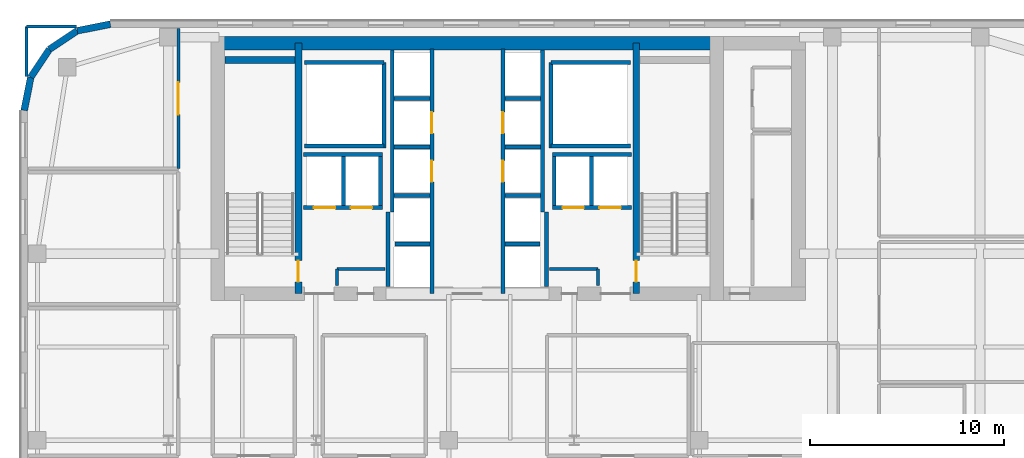
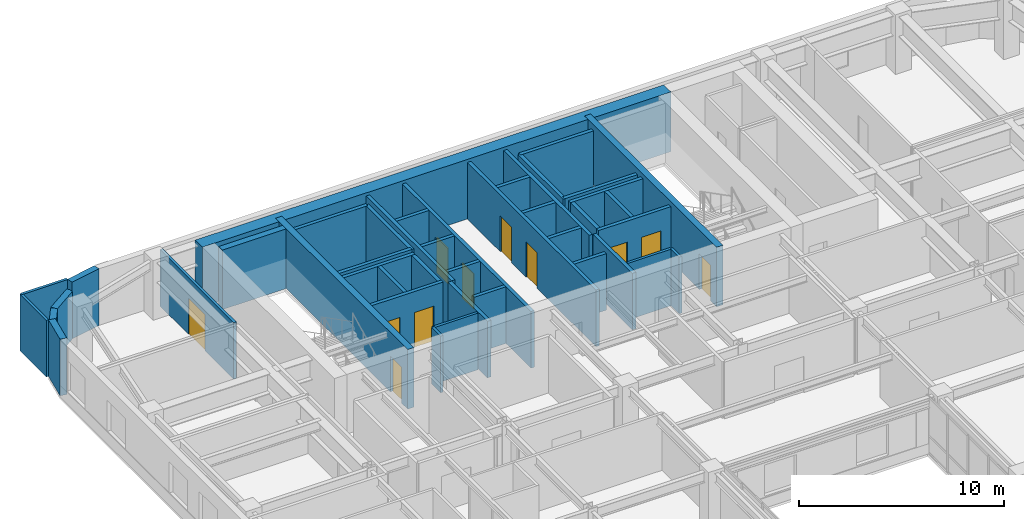
# One storey, part 24 of 31: 43 walls, 11 doors, 11 openings.
"""IFC4 building model written with IfcOpenShell, lengths in metres."""

from ifc_helpers import new_model, si_unit, direction, frame, frame_2d, origin, place, context, subcontext, project, spatial, rectangle, extrude, source, transform, mapped, material, layer, layer_set, type_object, type_shapes, element, fill, save


model = new_model("IFC4")

# Units and contexts
model_context = context("Model", 3, precision=1e-05, world=origin(), true_north=direction((0.0, 1.0)))
body_context = subcontext(model_context, "Body", "Model", "MODEL_VIEW")
ifc_project = project(units=[si_unit("LENGTHUNIT", "METRE"), si_unit("AREAUNIT", "SQUARE_METRE"), si_unit("VOLUMEUNIT", "CUBIC_METRE"), si_unit("PLANEANGLEUNIT", "RADIAN"), si_unit("MASSUNIT", "GRAM", prefix="KILO")], contexts=[model_context])

# Site, building, storey
site_placement = place(None, origin())
site = spatial("IfcSite", under=ifc_project, at=site_placement, CompositionType="ELEMENT")
building_placement = place(site_placement, origin())
building = spatial("IfcBuilding", under=site, at=building_placement, Name="Tolvann Quenvar Hotel", CompositionType="ELEMENT")
storey_placement = place(building_placement, frame((0.0, 0.0, 125.75)))
storey = spatial("IfcBuildingStorey", under=building, at=storey_placement, Name="L32", CompositionType="ELEMENT", Elevation=125.75)

# Wall
ifc_material_1 = material(Name="Concrete S65 (65 MPa)", Category="concrete")
ifc_layer_1 = layer(ifc_material_1, 0.699951171875)
ifc_layer_set_1 = layer_set([ifc_layer_1], Name="Concrete S65 (65 MPa)")
wall_type_1 = type_object("IfcWallType", Name="WALL_CORE_700", PredefinedType="SHEAR", material=ifc_layer_set_1)
wall_1_placement = place(storey_placement, frame((9.800048828125, 44.85009765625, 0.0), z_axis=(0.0, 0.0, 1.0), x_axis=(1.0, 0.0, 0.0)))
element("IfcWall", 1, at=wall_1_placement, inside=storey, type_object=wall_type_1, Name="Rear Core N Shear Wall (L32)", PredefinedType="SHEAR", context=body_context, shape_type="SweptSolid", body=[
    extrude(rectangle(XDim=26.39990234375, YDim=0.699951171875, at=frame_2d((13.199951171875, 0.0))), origin(), (0.0, 0.0, 1.0), 3.550048828125),
])

# Wall, opening, door
ifc_layer_2 = layer(ifc_material_1, 0.35009765625)
ifc_layer_set_2 = layer_set([ifc_layer_2], Name="Concrete S65 (65 MPa)")
wall_type_2 = type_object("IfcWallType", Name="WALL_CORE_INT_350", PredefinedType="SHEAR", material=ifc_layer_set_2)
wall_2_placement = place(storey_placement, frame((14.300048828125, 31.949951171875, 0.0), z_axis=(0.0, 0.0, 1.0), x_axis=(0.0, 1.0, 0.0)))
wall_2 = element("IfcWall", 2, at=wall_2_placement, inside=storey, type_object=wall_type_2, Name="Core Internal Web Shear Wall WEB-W (L32)", PredefinedType="SHEAR", context=body_context, shape_type="SweptSolid", body=[
    extrude(rectangle(XDim=12.900146484375, YDim=0.35009765625, at=frame_2d((6.4501953125, 0.0))), origin(), (0.0, 0.0, 1.0), 3.550048828125),
])
opening_1_placement = place(wall_2_placement, frame((0.60009765625, 0.0, 0.0)))
opening_1 = element("IfcOpeningElement", 3, at=opening_1_placement, cuts=wall_2, Name="Opening FD-120", PredefinedType="OPENING", context=body_context, shape_type="SweptSolid", body=[
    extrude(rectangle(XDim=1.10009765625, YDim=2.1201171875, at=frame_2d((0.550048828125, 1.06005859375))), frame((0.0, 0.18505859375, 0.0), z_axis=(0.0, -1.0, 0.0), x_axis=(1.0, 0.0, 0.0)), (0.0, 0.0, 1.0), 0.3701171875),
])
ifc_material_2 = material(Name="Pressed galvanised steel fire-rated door set", Category="steel")
door_type_1 = type_object("IfcDoorType", Name="DOOR_FIRE_STAIR_1100", OperationType="NOTDEFINED", PredefinedType="DOOR", material=ifc_material_2)
shared_shape_1 = source(origin(), body_context, "Body", "SweptSolid", [
    extrude(rectangle(XDim=1.10009765625, YDim=2.1201171875, at=frame_2d((0.550048828125, 1.06005859375))), frame((0.0, 0.02490234375, 0.0), z_axis=(0.0, -1.0, 0.0), x_axis=(1.0, 0.0, 0.0)), (0.0, 0.0, 1.0), 0.050048828125),
])
type_shapes(door_type_1, [shared_shape_1])
door_1_placement = place(opening_1_placement, origin())
door_1 = element("IfcDoor", 4, at=door_1_placement, inside=storey, type_object=door_type_1, Name="Exit Stair ST-C1 Fire Door (L32)", OperationType="SINGLE_SWING_LEFT", OverallHeight=2.1201171875, OverallWidth=1.10009765625, PredefinedType="DOOR", context=body_context, shape_type="MappedRepresentation", body=[
    mapped(shared_shape_1, transform((0.0, 0.0, 0.0), x_axis=(1.0, 0.0, 0.0), y_axis=(0.0, 1.0, 0.0), z_axis=(0.0, 0.0, 1.0), scale=1.0)),
])
fill(opening_1, door_1)

wall_3_placement = place(storey_placement, frame((31.699951171875, 31.949951171875, 0.0), z_axis=(0.0, 0.0, 1.0), x_axis=(0.0, 1.0, 0.0)))
wall_3 = element("IfcWall", 5, at=wall_3_placement, inside=storey, type_object=wall_type_2, Name="Core Internal Web Shear Wall WEB-E (L32)", PredefinedType="SHEAR", context=body_context, shape_type="SweptSolid", body=[
    extrude(rectangle(XDim=12.900146484375, YDim=0.35009765625, at=frame_2d((6.4501953125, 0.0))), origin(), (0.0, 0.0, 1.0), 3.550048828125),
])
opening_2_placement = place(wall_3_placement, frame((1.7001953125, 0.0, 0.0), z_axis=(0.0, 0.0, 1.0), x_axis=(-1.0, 0.0, 0.0)))
opening_2 = element("IfcOpeningElement", 6, at=opening_2_placement, cuts=wall_3, Name="Opening FD-120", PredefinedType="OPENING", context=body_context, shape_type="SweptSolid", body=[
    extrude(rectangle(XDim=1.10009765625, YDim=2.1201171875, at=frame_2d((0.550048828125, 1.06005859375))), frame((0.0, 0.18505859375, 0.0), z_axis=(0.0, -1.0, 0.0), x_axis=(1.0, 0.0, 0.0)), (0.0, 0.0, 1.0), 0.3701171875),
])
door_2_placement = place(opening_2_placement, origin())
door_2 = element("IfcDoor", 7, at=door_2_placement, inside=storey, type_object=door_type_1, Name="Exit Stair ST-C2 Fire Door (L32)", OperationType="SINGLE_SWING_RIGHT", OverallHeight=2.1201171875, OverallWidth=1.10009765625, PredefinedType="DOOR", context=body_context, shape_type="MappedRepresentation", body=[
    mapped(shared_shape_1, transform((0.0, 0.0, 0.0), x_axis=(1.0, 0.0, 0.0), y_axis=(0.0, 1.0, 0.0), z_axis=(0.0, 0.0, 1.0), scale=1.0)),
])
fill(opening_2, door_2)

# Walls
wall_4_placement = place(storey_placement, frame((10.52001953125, 43.97509765625, 0.0), z_axis=(0.0, 0.0, 1.0), x_axis=(1.0, 0.0, 0.0)))
element("IfcWall", 8, at=wall_4_placement, inside=storey, type_object=wall_type_2, Name="Core Stair North Closing Shear Wall STC1-N (L32)", PredefinedType="SHEAR", context=body_context, shape_type="SweptSolid", body=[
    extrude(rectangle(XDim=3.60009765625, YDim=0.35009765625, at=frame_2d((1.800048828125, 0.0))), origin(), (0.0, 0.0, 1.0), 3.550048828125),
])
ifc_material_3 = material(Name="Kiln-fired red and buff architectural clay brickwork and terracotta masonry", Category="masonry")
ifc_layer_3 = layer(ifc_material_3, 0.35009765625)
ifc_layer_set_3 = layer_set([ifc_layer_3], Name="Kiln-fired red and buff architectural clay brickwork and terracotta masonry")
wall_type_3 = type_object("IfcWallType", Name="WALL_EXT_BRICK_350", PredefinedType="SOLIDWALL", material=ifc_layer_set_3)
wall_5_placement = place(storey_placement, frame((4.6171875, 45.824951171875, 0.0), z_axis=(0.0, 0.0, 1.0), x_axis=(-0.980800971659, -0.195011420161, 0.0)))
element("IfcWall", 9, at=wall_5_placement, inside=storey, type_object=wall_type_3, Name="Exterior Chicago Brick Wall L32-E19", PredefinedType="SOLIDWALL", context=body_context, shape_type="SweptSolid", body=[
    extrude(rectangle(XDim=1.74267578125, YDim=0.35009765625, at=frame_2d((0.871337890625, 0.0))), origin(), (0.0, 0.0, 1.0), 3.3701171875),
])
for number, where, z_axis, x_axis, name in (
    (10, (2.907958984375, 45.485107421875, 0.0), (0.0, 0.0, 1.0), (-0.831483840845, -0.55554893791, 0.0), "Exterior Chicago Brick Wall L32-E20"),
    (11, (1.473388671875, 44.526611328125, 0.0), (0.0, 0.0, 1.0), (-0.55554893791, -0.831483840845, 0.0), "Exterior Chicago Brick Wall L32-E21"),
):
    element("IfcWall", number, at=place(storey_placement, frame(where, z_axis=z_axis, x_axis=x_axis)), inside=storey, type_object=wall_type_3, Name=name, PredefinedType="SOLIDWALL", context=body_context, shape_type="SweptSolid", body=[
        extrude(rectangle(XDim=1.725341796875, YDim=0.35009765625, at=frame_2d((0.86279296875, 0.0))), origin(), (0.0, 0.0, 1.0), 2.83203125),
    ])
wall_6_placement = place(storey_placement, frame((0.514892578125, 43.092041015625, 0.0), z_axis=(0.0, 0.0, 1.0), x_axis=(-0.195011420161, -0.980800971659, 0.0)))
element("IfcWall", 12, at=wall_6_placement, inside=storey, type_object=wall_type_3, Name="Exterior Chicago Brick Wall L32-E22", PredefinedType="SOLIDWALL", context=body_context, shape_type="SweptSolid", body=[
    extrude(rectangle(XDim=1.74267578125, YDim=0.35009765625, at=frame_2d((0.871337890625, 0.0))), origin(), (0.0, 0.0, 1.0), 3.3701171875),
])
ifc_material_4 = material(Name="Acoustic twin-stud fire-rated gypsum plasterboard partition")
ifc_layer_4 = layer(ifc_material_4, 0.14990234375)
ifc_layer_set_4 = layer_set([ifc_layer_4], Name="Acoustic twin-stud fire-rated gypsum plasterboard partition")
wall_type_4 = type_object("IfcWallType", Name="WALL_PART_SUITE_150", PredefinedType="PARTITIONING", material=ifc_layer_set_4)
wall_7_placement = place(storey_placement, frame((16.280029296875, 33.219970703125, 0.0), z_axis=(0.0, 0.0, 1.0), x_axis=(1.0, 0.0, 0.0)))
element("IfcWall", 13, at=wall_7_placement, inside=storey, type_object=wall_type_4, Name="Interior Partition PT-SPC-L32-CSW-1-N", PredefinedType="PARTITIONING", context=body_context, shape_type="SweptSolid", body=[
    extrude(rectangle(XDim=2.48486328125, YDim=0.14990234375, at=frame_2d((1.242431640625, 0.0))), origin(), (0.0, 0.0, 1.0), 3.3701171875),
])
wall_8_placement = place(storey_placement, frame((16.280029296875, 32.35498046875, 0.0), z_axis=(0.0, 0.0, 1.0), x_axis=(0.0, 1.0, 0.0)))
element("IfcWall", 14, at=wall_8_placement, inside=storey, type_object=wall_type_4, Name="Interior Partition PT-SPC-L32-CSW-1-W", PredefinedType="PARTITIONING", context=body_context, shape_type="SweptSolid", body=[
    extrude(rectangle(XDim=0.864990234375, YDim=0.14990234375, at=frame_2d((0.4326171875, 0.0))), origin(), (0.0, 0.0, 1.0), 3.3701171875),
])
wall_9_placement = place(storey_placement, frame((27.235107421875, 33.219970703125, 0.0), z_axis=(0.0, 0.0, 1.0), x_axis=(1.0, 0.0, 0.0)))
element("IfcWall", 15, at=wall_9_placement, inside=storey, type_object=wall_type_4, Name="Interior Partition PT-SPC-L32-CSE-2-N", PredefinedType="PARTITIONING", context=body_context, shape_type="SweptSolid", body=[
    extrude(rectangle(XDim=2.48486328125, YDim=0.14990234375, at=frame_2d((1.242431640625, 0.0))), origin(), (0.0, 0.0, 1.0), 3.3701171875),
])
wall_10_placement = place(storey_placement, frame((29.719970703125, 32.35498046875, 0.0), z_axis=(0.0, 0.0, 1.0), x_axis=(0.0, 1.0, 0.0)))
element("IfcWall", 16, at=wall_10_placement, inside=storey, type_object=wall_type_4, Name="Interior Partition PT-SPC-L32-CSE-2-E", PredefinedType="PARTITIONING", context=body_context, shape_type="SweptSolid", body=[
    extrude(rectangle(XDim=0.864990234375, YDim=0.14990234375, at=frame_2d((0.4326171875, 0.0))), origin(), (0.0, 0.0, 1.0), 3.3701171875),
])
for number, where, z_axis, x_axis, name in (
    (17, (0.300048828125, 45.699951171875, 0.0), (0.0, 0.0, 1.0), (1.0, 0.0, 0.0), "Interior Partition PT-SPC-L32-TEA-N"),
    (18, (0.300048828125, 43.135009765625, 0.0), (0.0, 0.0, 1.0), (0.0, 1.0, 0.0), "Interior Partition PT-SPC-L32-TEA-W"),
):
    element("IfcWall", number, at=place(storey_placement, frame(where, z_axis=z_axis, x_axis=x_axis)), inside=storey, type_object=wall_type_4, Name=name, PredefinedType="PARTITIONING", context=body_context, shape_type="SweptSolid", body=[
        extrude(rectangle(XDim=2.56494140625, YDim=0.14990234375, at=frame_2d((1.282470703125, 0.0))), origin(), (0.0, 0.0, 1.0), 3.3701171875),
    ])

# Wall, opening, door
wall_11_placement = place(storey_placement, frame((8.1201171875, 38.39990234375, 0.0), z_axis=(0.0, 0.0, 1.0), x_axis=(0.0, 1.0, 0.0)))
wall_11 = element("IfcWall", 19, at=wall_11_placement, inside=storey, type_object=wall_type_4, Name="Interior Partition PT-SPC-L32-TEA-E", PredefinedType="PARTITIONING", context=body_context, shape_type="SweptSolid", body=[
    extrude(rectangle(XDim=7.195068359375, YDim=0.14990234375, at=frame_2d((3.59765625, 0.0))), origin(), (0.0, 0.0, 1.0), 3.3701171875),
])
opening_3_placement = place(wall_11_placement, frame((2.7724609375, 0.0, 0.0)))
opening_3 = element("IfcOpeningElement", 20, at=opening_3_placement, cuts=wall_11, Name="Opening AD-01", PredefinedType="OPENING", context=body_context, shape_type="SweptSolid", body=[
    extrude(rectangle(XDim=1.64990234375, YDim=2.14990234375, at=frame_2d((0.824951171875, 1.074951171875))), frame((0.0, 0.0849609375, 0.0), z_axis=(0.0, -1.0, 0.0), x_axis=(1.0, 0.0, 0.0)), (0.0, 0.0, 1.0), 0.169921875),
])
ifc_material_5 = material(Name="Solid-core American oak acoustic fire door leaf in steel frame", Category="steel")
door_type_2 = type_object("IfcDoorType", Name="DOOR_SALON_1650", OperationType="NOTDEFINED", PredefinedType="DOOR", material=ifc_material_5)
shared_shape_2 = source(origin(), body_context, "Body", "SweptSolid", [
    extrude(rectangle(XDim=1.64990234375, YDim=2.14990234375, at=frame_2d((0.824951171875, 1.074951171875))), frame((0.0, 0.02490234375, 0.0), z_axis=(0.0, -1.0, 0.0), x_axis=(1.0, 0.0, 0.0)), (0.0, 0.0, 1.0), 0.050048828125),
])
type_shapes(door_type_2, [shared_shape_2])
door_3_placement = place(opening_3_placement, origin())
door_3 = element("IfcDoor", 21, at=door_3_placement, inside=storey, type_object=door_type_2, Name="Interior Door DOOR-SPC-L32-TEA", OperationType="DOUBLE_DOOR_SINGLE_SWING", OverallHeight=2.14990234375, OverallWidth=1.64990234375, PredefinedType="DOOR", context=body_context, shape_type="MappedRepresentation", body=[
    mapped(shared_shape_2, transform((0.0, 0.0, 0.0), x_axis=(1.0, 0.0, 0.0), y_axis=(0.0, 1.0, 0.0), z_axis=(0.0, 0.0, 1.0), scale=1.0)),
])
fill(opening_3, door_3)

# Walls
ifc_material_6 = material(Name="Concrete N40 (40 MPa)", Category="concrete")
ifc_layer_5 = layer(ifc_material_6, 0.199951171875)
ifc_layer_set_5 = layer_set([ifc_layer_5], Name="Concrete N40 (40 MPa)")
wall_type_5 = type_object("IfcWallType", Name="WALL_SHAFT_200", PredefinedType="SOLIDWALL", material=ifc_layer_set_5)
wall_12_placement = place(storey_placement, frame((18.699951171875, 39.449951171875, 0.0), z_axis=(0.0, 0.0, 1.0), x_axis=(0.0, 1.0, 0.0)))
element("IfcWall", 22, at=wall_12_placement, inside=storey, type_object=wall_type_5, Name="Service Riser W Shaft Wall IN (L32)", PredefinedType="SOLIDWALL", context=body_context, shape_type="SweptSolid", body=[
    extrude(rectangle(XDim=4.400146484375, YDim=0.199951171875, at=frame_2d((2.2001953125, 0.0))), origin(), (0.0, 0.0, 1.0), 3.3701171875),
])
for number, where, z_axis, x_axis, name in (
    (23, (14.60009765625, 39.550048828125, 0.0), (0.0, 0.0, 1.0), (1.0, 0.0, 0.0), "Service Riser W Shaft Wall S (L32)"),
    (24, (14.60009765625, 43.85009765625, 0.0), (0.0, 0.0, 1.0), (1.0, 0.0, 0.0), "Service Riser W Shaft Wall N (L32)"),
):
    element("IfcWall", number, at=place(storey_placement, frame(where, z_axis=z_axis, x_axis=x_axis)), inside=storey, type_object=wall_type_5, Name=name, PredefinedType="SOLIDWALL", context=body_context, shape_type="SweptSolid", body=[
        extrude(rectangle(XDim=4.099853515625, YDim=0.199951171875, at=frame_2d((2.0498046875, 0.0))), origin(), (0.0, 0.0, 1.0), 3.3701171875),
    ])
wall_13_placement = place(storey_placement, frame((27.300048828125, 39.449951171875, 0.0), z_axis=(0.0, 0.0, 1.0), x_axis=(0.0, 1.0, 0.0)))
element("IfcWall", 25, at=wall_13_placement, inside=storey, type_object=wall_type_5, Name="Service Riser E Shaft Wall IN (L32)", PredefinedType="SOLIDWALL", context=body_context, shape_type="SweptSolid", body=[
    extrude(rectangle(XDim=4.400146484375, YDim=0.199951171875, at=frame_2d((2.2001953125, 0.0))), origin(), (0.0, 0.0, 1.0), 3.3701171875),
])
for number, where, z_axis, x_axis, name in (
    (26, (27.300048828125, 39.550048828125, 0.0), (0.0, 0.0, 1.0), (1.0, 0.0, 0.0), "Service Riser E Shaft Wall S (L32)"),
    (27, (27.300048828125, 43.85009765625, 0.0), (0.0, 0.0, 1.0), (1.0, 0.0, 0.0), "Service Riser E Shaft Wall N (L32)"),
):
    element("IfcWall", number, at=place(storey_placement, frame(where, z_axis=z_axis, x_axis=x_axis)), inside=storey, type_object=wall_type_5, Name=name, PredefinedType="SOLIDWALL", context=body_context, shape_type="SweptSolid", body=[
        extrude(rectangle(XDim=4.099853515625, YDim=0.199951171875, at=frame_2d((2.0498046875, 0.0))), origin(), (0.0, 0.0, 1.0), 3.3701171875),
    ])
for number, where, z_axis, x_axis, name in (
    (28, (18.919921875, 32.303955078125, 0.0), (0.0, 0.0, 1.0), (0.0, 1.0, 0.0), "Firefighting Lobby W Inner Fire Wall (L32)"),
    (29, (27.080078125, 32.303955078125, 0.0), (0.0, 0.0, 1.0), (0.0, 1.0, 0.0), "Firefighting Lobby E Inner Fire Wall (L32)"),
):
    element("IfcWall", number, at=place(storey_placement, frame(where, z_axis=z_axis, x_axis=x_axis)), inside=storey, type_object=wall_type_5, Name=name, PredefinedType="SOLIDWALL", context=body_context, shape_type="SweptSolid", body=[
        extrude(rectangle(XDim=3.845947265625, YDim=0.199951171875, at=frame_2d((1.9228515625, 0.0))), origin(), (0.0, 0.0, 1.0), 3.3701171875),
    ])

# Wall, openings, doors
wall_14_placement = place(storey_placement, frame((21.169921875, 31.9599609375, 0.0), z_axis=(0.0, 0.0, 1.0), x_axis=(0.0, 1.0, 0.0)))
wall_14 = element("IfcWall", 30, at=wall_14_placement, inside=storey, type_object=wall_type_5, Name="Lift Bank E21.1C1 Hoistway Front Wall (L32)", PredefinedType="SOLIDWALL", context=body_context, shape_type="SweptSolid", body=[
    extrude(rectangle(XDim=12.580078125, YDim=0.199951171875, at=frame_2d((6.2900390625, 0.0))), origin(), (0.0, 0.0, 1.0), 3.3701171875),
])
opening_4_placement = place(wall_14_placement, frame((5.739990234375, 0.0, 0.0)))
opening_4 = element("IfcOpeningElement", 31, at=opening_4_placement, cuts=wall_14, Name="Opening LD-01", PredefinedType="OPENING", context=body_context, shape_type="SweptSolid", body=[
    extrude(rectangle(XDim=1.10009765625, YDim=2.1201171875, at=frame_2d((0.550048828125, 1.06005859375))), frame((0.0, 0.10986328125, 0.0), z_axis=(0.0, -1.0, 0.0), x_axis=(1.0, 0.0, 0.0)), (0.0, 0.0, 1.0), 0.219970703125),
])
opening_5_placement = place(wall_14_placement, frame((8.239990234375, 0.0, 0.0)))
opening_5 = element("IfcOpeningElement", 32, at=opening_5_placement, cuts=wall_14, Name="Opening LD-01", PredefinedType="OPENING", context=body_context, shape_type="SweptSolid", body=[
    extrude(rectangle(XDim=1.10009765625, YDim=2.1201171875, at=frame_2d((0.550048828125, 1.06005859375))), frame((0.0, 0.10986328125, 0.0), z_axis=(0.0, -1.0, 0.0), x_axis=(1.0, 0.0, 0.0)), (0.0, 0.0, 1.0), 0.219970703125),
])
ifc_material_7 = material(Name="Brushed 316 stainless steel automatic sliding lift landing door", Category="steel")
door_type_3 = type_object("IfcDoorType", Name="DOOR_LIFT_SLIDE_1100", OperationType="NOTDEFINED", PredefinedType="DOOR", material=ifc_material_7)
shared_shape_3 = source(origin(), body_context, "Body", "SweptSolid", [
    extrude(rectangle(XDim=1.10009765625, YDim=2.1201171875, at=frame_2d((0.550048828125, 1.06005859375))), frame((0.0, 0.02490234375, 0.0), z_axis=(0.0, -1.0, 0.0), x_axis=(1.0, 0.0, 0.0)), (0.0, 0.0, 1.0), 0.050048828125),
])
type_shapes(door_type_3, [shared_shape_3])
door_4_placement = place(opening_4_placement, origin())
door_4 = element("IfcDoor", 33, at=door_4_placement, inside=storey, type_object=door_type_3, Name="Lift PM-1 Sliding Landing Door (L32)", OperationType="SLIDING_TO_RIGHT", OverallHeight=2.1201171875, OverallWidth=1.10009765625, PredefinedType="DOOR", context=body_context, shape_type="MappedRepresentation", body=[
    mapped(shared_shape_3, transform((0.0, 0.0, 0.0), x_axis=(1.0, 0.0, 0.0), y_axis=(0.0, 1.0, 0.0), z_axis=(0.0, 0.0, 1.0), scale=1.0)),
])
fill(opening_4, door_4)
door_5_placement = place(opening_5_placement, origin())
door_5 = element("IfcDoor", 34, at=door_5_placement, inside=storey, type_object=door_type_3, Name="Lift PM-2 Sliding Landing Door (L32)", OperationType="SLIDING_TO_LEFT", OverallHeight=2.1201171875, OverallWidth=1.10009765625, PredefinedType="DOOR", context=body_context, shape_type="MappedRepresentation", body=[
    mapped(shared_shape_3, transform((0.0, 0.0, 0.0), x_axis=(1.0, 0.0, 0.0), y_axis=(0.0, 1.0, 0.0), z_axis=(0.0, 0.0, 1.0), scale=1.0)),
])
fill(opening_5, door_5)

# Walls
wall_15_placement = place(storey_placement, frame((19.1298828125, 36.159912109375, 0.0), z_axis=(0.0, 0.0, 1.0), x_axis=(0.0, 1.0, 0.0)))
element("IfcWall", 35, at=wall_15_placement, inside=storey, type_object=wall_type_5, Name="Lift Bank E21.1C1 Hoistway Rear Wall (L32)", PredefinedType="SOLIDWALL", context=body_context, shape_type="SweptSolid", body=[
    extrude(rectangle(XDim=8.336181640625, YDim=0.199951171875, at=frame_2d((4.16796875, 0.0))), origin(), (0.0, 0.0, 1.0), 3.3701171875),
])
wall_16_placement = place(storey_placement, frame((19.27001953125, 34.5, 0.0), z_axis=(0.0, 0.0, 1.0), x_axis=(1.0, 0.0, 0.0)))
element("IfcWall", 36, at=wall_16_placement, inside=storey, type_object=wall_type_5, Name="Lift Bank E21.1C1 Divider Wall 1 (L32)", PredefinedType="SOLIDWALL", context=body_context, shape_type="SweptSolid", body=[
    extrude(rectangle(XDim=1.800048828125, YDim=0.199951171875, at=frame_2d((0.89990234375, 0.0))), origin(), (0.0, 0.0, 1.0), 3.3701171875),
])
for number, where, z_axis, x_axis, name in (
    (37, (19.22998046875, 37.0, 0.0), (0.0, 0.0, 1.0), (1.0, 0.0, 0.0), "Lift Bank E21.1C1 Divider Wall 2 (L32)"),
    (38, (19.22998046875, 39.5, 0.0), (0.0, 0.0, 1.0), (1.0, 0.0, 0.0), "Lift Bank E21.1C1 Divider Wall 3 (L32)"),
    (39, (19.22998046875, 42.0, 0.0), (0.0, 0.0, 1.0), (1.0, 0.0, 0.0), "Lift Bank E21.1C1 Divider Wall 4 (L32)"),
):
    element("IfcWall", number, at=place(storey_placement, frame(where, z_axis=z_axis, x_axis=x_axis)), inside=storey, type_object=wall_type_5, Name=name, PredefinedType="SOLIDWALL", context=body_context, shape_type="SweptSolid", body=[
        extrude(rectangle(XDim=1.840087890625, YDim=0.199951171875, at=frame_2d((0.919921875, 0.0))), origin(), (0.0, 0.0, 1.0), 3.3701171875),
    ])

# Wall, openings, doors
wall_17_placement = place(storey_placement, frame((27.375, 36.3798828125, 0.0), z_axis=(0.0, 0.0, 1.0), x_axis=(1.0, 0.0, 0.0)))
wall_17 = element("IfcWall", 40, at=wall_17_placement, inside=storey, type_object=wall_type_5, Name="Lift Bank SEC1 Hoistway Front Wall (L32)", PredefinedType="SOLIDWALL", context=body_context, shape_type="SweptSolid", body=[
    extrude(rectangle(XDim=4.074951171875, YDim=0.199951171875, at=frame_2d((2.03759765625, 0.0))), origin(), (0.0, 0.0, 1.0), 3.3701171875),
])
opening_6_placement = place(wall_17_placement, frame((0.52490234375, 0.0, 0.0)))
opening_6 = element("IfcOpeningElement", 41, at=opening_6_placement, cuts=wall_17, Name="Opening LD-01", PredefinedType="OPENING", context=body_context, shape_type="SweptSolid", body=[
    extrude(rectangle(XDim=1.10009765625, YDim=2.1201171875, at=frame_2d((0.550048828125, 1.06005859375))), frame((0.0, 0.10986328125, 0.0), z_axis=(0.0, -1.0, 0.0), x_axis=(1.0, 0.0, 0.0)), (0.0, 0.0, 1.0), 0.219970703125),
])
opening_7_placement = place(wall_17_placement, frame((2.425048828125, 0.0, 0.0)))
opening_7 = element("IfcOpeningElement", 42, at=opening_7_placement, cuts=wall_17, Name="Opening LD-01", PredefinedType="OPENING", context=body_context, shape_type="SweptSolid", body=[
    extrude(rectangle(XDim=1.10009765625, YDim=2.1201171875, at=frame_2d((0.550048828125, 1.06005859375))), frame((0.0, 0.10986328125, 0.0), z_axis=(0.0, -1.0, 0.0), x_axis=(1.0, 0.0, 0.0)), (0.0, 0.0, 1.0), 0.219970703125),
])
door_6_placement = place(opening_6_placement, origin())
door_6 = element("IfcDoor", 43, at=door_6_placement, inside=storey, type_object=door_type_3, Name="Lift SV-2 Sliding Landing Door (L32)", OperationType="SLIDING_TO_LEFT", OverallHeight=2.1201171875, OverallWidth=1.10009765625, PredefinedType="DOOR", context=body_context, shape_type="MappedRepresentation", body=[
    mapped(shared_shape_3, transform((0.0, 0.0, 0.0), x_axis=(1.0, 0.0, 0.0), y_axis=(0.0, 1.0, 0.0), z_axis=(0.0, 0.0, 1.0), scale=1.0)),
])
fill(opening_6, door_6)
door_7_placement = place(opening_7_placement, origin())
door_7 = element("IfcDoor", 44, at=door_7_placement, inside=storey, type_object=door_type_3, Name="Lift FF-2 Sliding Landing Door (L32)", OperationType="SLIDING_TO_RIGHT", OverallHeight=2.1201171875, OverallWidth=1.10009765625, PredefinedType="DOOR", context=body_context, shape_type="MappedRepresentation", body=[
    mapped(shared_shape_3, transform((0.0, 0.0, 0.0), x_axis=(1.0, 0.0, 0.0), y_axis=(0.0, 1.0, 0.0), z_axis=(0.0, 0.0, 1.0), scale=1.0)),
])
fill(opening_7, door_7)

# Walls
wall_18_placement = place(storey_placement, frame((27.375, 39.1201171875, 0.0), z_axis=(0.0, 0.0, 1.0), x_axis=(1.0, 0.0, 0.0)))
element("IfcWall", 45, at=wall_18_placement, inside=storey, type_object=wall_type_5, Name="Lift Bank SEC1 Hoistway Rear Wall (L32)", PredefinedType="SOLIDWALL", context=body_context, shape_type="SweptSolid", body=[
    extrude(rectangle(XDim=4.074951171875, YDim=0.199951171875, at=frame_2d((2.03759765625, 0.0))), origin(), (0.0, 0.0, 1.0), 3.3701171875),
])
for number, where, z_axis, x_axis, name in (
    (46, (27.47509765625, 36.47998046875, 0.0), (0.0, 0.0, 1.0), (0.0, 1.0, 0.0), "Lift Bank SEC1 Hoistway Cheek Wall 1 (L32)"),
    (47, (29.387451171875, 36.47998046875, 0.0), (0.0, 0.0, 1.0), (0.0, 1.0, 0.0), "Lift Bank SEC1 Divider Wall 1 (L32)"),
):
    element("IfcWall", number, at=place(storey_placement, frame(where, z_axis=z_axis, x_axis=x_axis)), inside=storey, type_object=wall_type_5, Name=name, PredefinedType="SOLIDWALL", context=body_context, shape_type="SweptSolid", body=[
        extrude(rectangle(XDim=2.5400390625, YDim=0.199951171875, at=frame_2d((1.27001953125, 0.0))), origin(), (0.0, 0.0, 1.0), 3.3701171875),
    ])

# Wall, openings, doors
wall_19_placement = place(storey_placement, frame((14.550048828125, 36.3798828125, 0.0), z_axis=(0.0, 0.0, 1.0), x_axis=(1.0, 0.0, 0.0)))
wall_19 = element("IfcWall", 48, at=wall_19_placement, inside=storey, type_object=wall_type_5, Name="Lift Bank SWC1 Hoistway Front Wall (L32)", PredefinedType="SOLIDWALL", context=body_context, shape_type="SweptSolid", body=[
    extrude(rectangle(XDim=4.074951171875, YDim=0.199951171875, at=frame_2d((2.03759765625, 0.0))), origin(), (0.0, 0.0, 1.0), 3.3701171875),
])
opening_8_placement = place(wall_19_placement, frame((0.550048828125, 0.0, 0.0)))
opening_8 = element("IfcOpeningElement", 49, at=opening_8_placement, cuts=wall_19, Name="Opening LD-01", PredefinedType="OPENING", context=body_context, shape_type="SweptSolid", body=[
    extrude(rectangle(XDim=1.10009765625, YDim=2.1201171875, at=frame_2d((0.550048828125, 1.06005859375))), frame((0.0, 0.10986328125, 0.0), z_axis=(0.0, -1.0, 0.0), x_axis=(1.0, 0.0, 0.0)), (0.0, 0.0, 1.0), 0.219970703125),
])
opening_9_placement = place(wall_19_placement, frame((2.449951171875, 0.0, 0.0)))
opening_9 = element("IfcOpeningElement", 50, at=opening_9_placement, cuts=wall_19, Name="Opening LD-01", PredefinedType="OPENING", context=body_context, shape_type="SweptSolid", body=[
    extrude(rectangle(XDim=1.10009765625, YDim=2.1201171875, at=frame_2d((0.550048828125, 1.06005859375))), frame((0.0, 0.10986328125, 0.0), z_axis=(0.0, -1.0, 0.0), x_axis=(1.0, 0.0, 0.0)), (0.0, 0.0, 1.0), 0.219970703125),
])
door_8_placement = place(opening_8_placement, origin())
door_8 = element("IfcDoor", 51, at=door_8_placement, inside=storey, type_object=door_type_3, Name="Lift FF-1 Sliding Landing Door (L32)", OperationType="SLIDING_TO_LEFT", OverallHeight=2.1201171875, OverallWidth=1.10009765625, PredefinedType="DOOR", context=body_context, shape_type="MappedRepresentation", body=[
    mapped(shared_shape_3, transform((0.0, 0.0, 0.0), x_axis=(1.0, 0.0, 0.0), y_axis=(0.0, 1.0, 0.0), z_axis=(0.0, 0.0, 1.0), scale=1.0)),
])
fill(opening_8, door_8)
door_9_placement = place(opening_9_placement, origin())
door_9 = element("IfcDoor", 52, at=door_9_placement, inside=storey, type_object=door_type_3, Name="Lift SV-1 Sliding Landing Door (L32)", OperationType="SLIDING_TO_RIGHT", OverallHeight=2.1201171875, OverallWidth=1.10009765625, PredefinedType="DOOR", context=body_context, shape_type="MappedRepresentation", body=[
    mapped(shared_shape_3, transform((0.0, 0.0, 0.0), x_axis=(1.0, 0.0, 0.0), y_axis=(0.0, 1.0, 0.0), z_axis=(0.0, 0.0, 1.0), scale=1.0)),
])
fill(opening_9, door_9)

# Walls
wall_20_placement = place(storey_placement, frame((14.550048828125, 39.1201171875, 0.0), z_axis=(0.0, 0.0, 1.0), x_axis=(1.0, 0.0, 0.0)))
element("IfcWall", 53, at=wall_20_placement, inside=storey, type_object=wall_type_5, Name="Lift Bank SWC1 Hoistway Rear Wall (L32)", PredefinedType="SOLIDWALL", context=body_context, shape_type="SweptSolid", body=[
    extrude(rectangle(XDim=4.074951171875, YDim=0.199951171875, at=frame_2d((2.03759765625, 0.0))), origin(), (0.0, 0.0, 1.0), 3.3701171875),
])
for number, where, z_axis, x_axis, name in (
    (54, (18.52490234375, 36.47998046875, 0.0), (0.0, 0.0, 1.0), (0.0, 1.0, 0.0), "Lift Bank SWC1 Hoistway Cheek Wall 2 (L32)"),
    (55, (16.612548828125, 36.47998046875, 0.0), (0.0, 0.0, 1.0), (0.0, 1.0, 0.0), "Lift Bank SWC1 Divider Wall 1 (L32)"),
):
    element("IfcWall", number, at=place(storey_placement, frame(where, z_axis=z_axis, x_axis=x_axis)), inside=storey, type_object=wall_type_5, Name=name, PredefinedType="SOLIDWALL", context=body_context, shape_type="SweptSolid", body=[
        extrude(rectangle(XDim=2.5400390625, YDim=0.199951171875, at=frame_2d((1.27001953125, 0.0))), origin(), (0.0, 0.0, 1.0), 3.3701171875),
    ])

# Wall, openings, doors
wall_21_placement = place(storey_placement, frame((24.830078125, 31.9599609375, 0.0), z_axis=(0.0, 0.0, 1.0), x_axis=(0.0, 1.0, 0.0)))
wall_21 = element("IfcWall", 56, at=wall_21_placement, inside=storey, type_object=wall_type_5, Name="Lift Bank W24.9C1 Hoistway Front Wall (L32)", PredefinedType="SOLIDWALL", context=body_context, shape_type="SweptSolid", body=[
    extrude(rectangle(XDim=12.580078125, YDim=0.199951171875, at=frame_2d((6.2900390625, 0.0))), origin(), (0.0, 0.0, 1.0), 3.3701171875),
])
opening_10_placement = place(wall_21_placement, frame((5.739990234375, 0.0, 0.0)))
opening_10 = element("IfcOpeningElement", 57, at=opening_10_placement, cuts=wall_21, Name="Opening LD-01", PredefinedType="OPENING", context=body_context, shape_type="SweptSolid", body=[
    extrude(rectangle(XDim=1.10009765625, YDim=2.1201171875, at=frame_2d((0.550048828125, 1.06005859375))), frame((0.0, 0.10986328125, 0.0), z_axis=(0.0, -1.0, 0.0), x_axis=(1.0, 0.0, 0.0)), (0.0, 0.0, 1.0), 0.219970703125),
])
opening_11_placement = place(wall_21_placement, frame((8.239990234375, 0.0, 0.0)))
opening_11 = element("IfcOpeningElement", 58, at=opening_11_placement, cuts=wall_21, Name="Opening LD-01", PredefinedType="OPENING", context=body_context, shape_type="SweptSolid", body=[
    extrude(rectangle(XDim=1.10009765625, YDim=2.1201171875, at=frame_2d((0.550048828125, 1.06005859375))), frame((0.0, 0.10986328125, 0.0), z_axis=(0.0, -1.0, 0.0), x_axis=(1.0, 0.0, 0.0)), (0.0, 0.0, 1.0), 0.219970703125),
])
door_10_placement = place(opening_10_placement, origin())
door_10 = element("IfcDoor", 59, at=door_10_placement, inside=storey, type_object=door_type_3, Name="Lift PM-3 Sliding Landing Door (L32)", OperationType="SLIDING_TO_RIGHT", OverallHeight=2.1201171875, OverallWidth=1.10009765625, PredefinedType="DOOR", context=body_context, shape_type="MappedRepresentation", body=[
    mapped(shared_shape_3, transform((0.0, 0.0, 0.0), x_axis=(1.0, 0.0, 0.0), y_axis=(0.0, 1.0, 0.0), z_axis=(0.0, 0.0, 1.0), scale=1.0)),
])
fill(opening_10, door_10)
door_11_placement = place(opening_11_placement, origin())
door_11 = element("IfcDoor", 60, at=door_11_placement, inside=storey, type_object=door_type_3, Name="Lift PM-4 Sliding Landing Door (L32)", OperationType="SLIDING_TO_LEFT", OverallHeight=2.1201171875, OverallWidth=1.10009765625, PredefinedType="DOOR", context=body_context, shape_type="MappedRepresentation", body=[
    mapped(shared_shape_3, transform((0.0, 0.0, 0.0), x_axis=(1.0, 0.0, 0.0), y_axis=(0.0, 1.0, 0.0), z_axis=(0.0, 0.0, 1.0), scale=1.0)),
])
fill(opening_11, door_11)

# Walls
wall_22_placement = place(storey_placement, frame((26.8701171875, 36.159912109375, 0.0), z_axis=(0.0, 0.0, 1.0), x_axis=(0.0, 1.0, 0.0)))
element("IfcWall", 61, at=wall_22_placement, inside=storey, type_object=wall_type_5, Name="Lift Bank W24.9C1 Hoistway Rear Wall (L32)", PredefinedType="SOLIDWALL", context=body_context, shape_type="SweptSolid", body=[
    extrude(rectangle(XDim=8.336181640625, YDim=0.199951171875, at=frame_2d((4.16796875, 0.0))), origin(), (0.0, 0.0, 1.0), 3.3701171875),
])
wall_23_placement = place(storey_placement, frame((24.929931640625, 34.5, 0.0), z_axis=(0.0, 0.0, 1.0), x_axis=(1.0, 0.0, 0.0)))
element("IfcWall", 62, at=wall_23_placement, inside=storey, type_object=wall_type_5, Name="Lift Bank W24.9C1 Divider Wall 1 (L32)", PredefinedType="SOLIDWALL", context=body_context, shape_type="SweptSolid", body=[
    extrude(rectangle(XDim=1.800048828125, YDim=0.199951171875, at=frame_2d((0.89990234375, 0.0))), origin(), (0.0, 0.0, 1.0), 3.3701171875),
])
for number, where, z_axis, x_axis, name in (
    (63, (24.929931640625, 37.0, 0.0), (0.0, 0.0, 1.0), (1.0, 0.0, 0.0), "Lift Bank W24.9C1 Divider Wall 2 (L32)"),
    (64, (24.929931640625, 39.5, 0.0), (0.0, 0.0, 1.0), (1.0, 0.0, 0.0), "Lift Bank W24.9C1 Divider Wall 3 (L32)"),
    (65, (24.929931640625, 42.0, 0.0), (0.0, 0.0, 1.0), (1.0, 0.0, 0.0), "Lift Bank W24.9C1 Divider Wall 4 (L32)"),
):
    element("IfcWall", number, at=place(storey_placement, frame(where, z_axis=z_axis, x_axis=x_axis)), inside=storey, type_object=wall_type_5, Name=name, PredefinedType="SOLIDWALL", context=body_context, shape_type="SweptSolid", body=[
        extrude(rectangle(XDim=1.840087890625, YDim=0.199951171875, at=frame_2d((0.919921875, 0.0))), origin(), (0.0, 0.0, 1.0), 3.3701171875),
    ])

save(model, "model.ifc")
